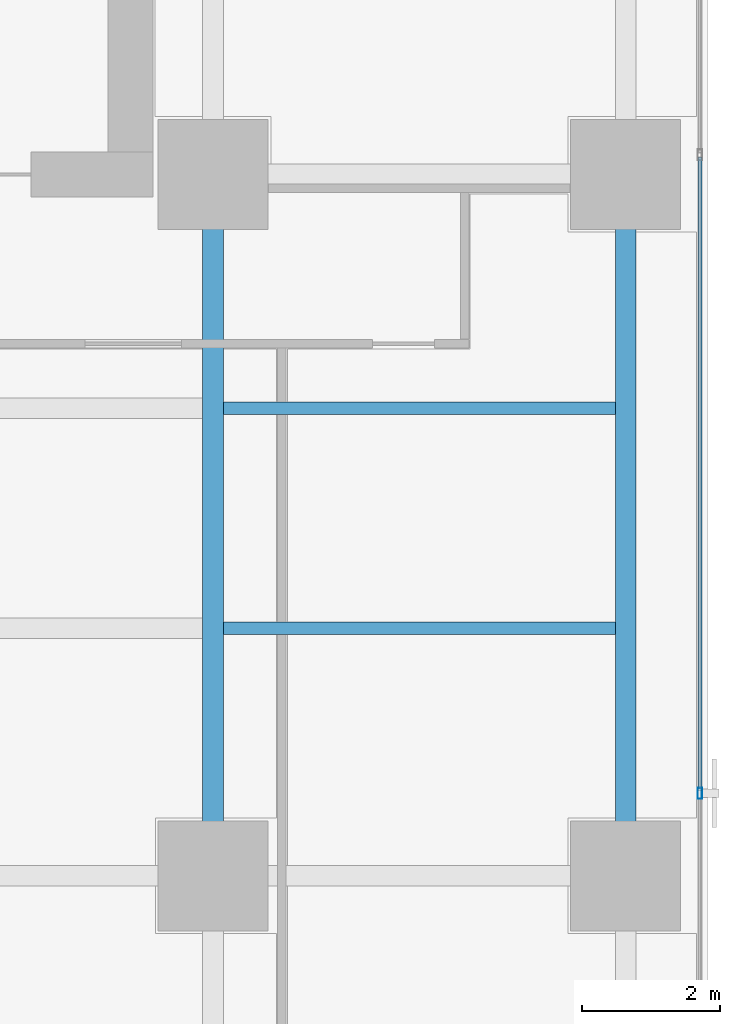
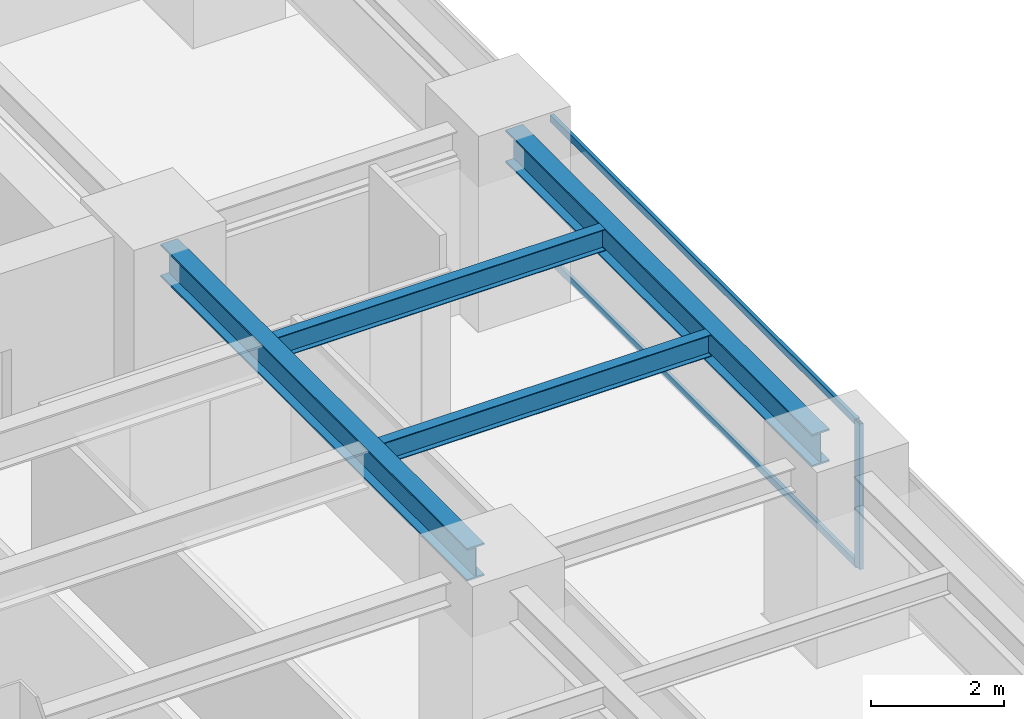
# One storey, part 13 of 28: 4 beams, 3 members, 1 element without a shape of its own.
"""IFC4 building model written with IfcOpenShell, lengths in metres."""

from ifc_helpers import new_model, si_unit, direction, frame, origin, origin_2d, place, context, subcontext, project, spatial, hollow_rectangle, i_section, extrude, source, transform, mapped, material, layer, layer_set, material_profile, profile_set, type_object, element, aggregate, save


model = new_model("IFC4")

# Units and contexts
model_context = context("Model", 3, precision=1e-05, world=origin(), true_north=direction((0.0, 1.0)))
body_context = subcontext(model_context, "Body", "Model", "MODEL_VIEW")
ifc_project = project(units=[si_unit("LENGTHUNIT", "METRE"), si_unit("AREAUNIT", "SQUARE_METRE"), si_unit("VOLUMEUNIT", "CUBIC_METRE"), si_unit("PLANEANGLEUNIT", "RADIAN"), si_unit("MASSUNIT", "GRAM", prefix="KILO")], contexts=[model_context])

# Site, building, storey
site_placement = place(None, origin())
site = spatial("IfcSite", under=ifc_project, at=site_placement, CompositionType="ELEMENT")
building_placement = place(site_placement, origin())
building = spatial("IfcBuilding", under=site, at=building_placement, Name="Sumidabori Civic Tower", CompositionType="ELEMENT")
storey_placement = place(building_placement, frame((0.0, 0.0, 185.60009765625)))
storey = spatial("IfcBuildingStorey", under=building, at=storey_placement, Name="L48", CompositionType="ELEMENT", Elevation=185.60009765625)

# Beams
ifc_material_1 = material(Name="Steel SN490", Category="steel")
ifc_material_profile_1 = material_profile(ifc_material_1, i_section(OverallWidth=0.300048828125, OverallDepth=0.60009765625, WebThickness=0.015380859375, FlangeThickness=0.030029296875, at=origin_2d()), Name="HE 600 B")
ifc_profile_set_1 = profile_set([ifc_material_profile_1], Name="Steel SN490")
beam_type_1 = type_object("IfcBeamType", Name="BM-GIRD-600", PredefinedType="BEAM", material=ifc_profile_set_1)
shared_shape_1 = source(origin(), body_context, "Body", "SweptSolid", [
    extrude(i_section(OverallWidth=0.300048828125, OverallDepth=0.60009765625, WebThickness=0.015380859375, FlangeThickness=0.030029296875, at=origin_2d()), origin(), (0.0, 0.0, 1.0), 9.239990234375),
])
for number, where, z_axis, x_axis, name in (
    (1, (16.800048828125, 0.47998046875, 3.0), (0.0, 1.0, 0.0), (-1.0, 0.0, 0.0), "Primary Girder L48 GY-34"),
    (2, (22.800048828125, 0.47998046875, 3.0), (0.0, 1.0, 0.0), (-1.0, 0.0, 0.0), "Primary Girder L48 GY-37"),
):
    element("IfcBeam", number, at=place(storey_placement, frame(where, z_axis=z_axis, x_axis=x_axis)), inside=storey, type_object=beam_type_1, Name=name, PredefinedType="BEAM", context=body_context, shape_type="MappedRepresentation", body=[
        mapped(shared_shape_1, transform((0.0, 0.0, 0.0), x_axis=(1.0, 0.0, 0.0), y_axis=(0.0, 1.0, 0.0), z_axis=(0.0, 0.0, 1.0), scale=1.0)),
    ])
ifc_material_profile_2 = material_profile(ifc_material_1, i_section(OverallWidth=0.179931640625, OverallDepth=0.39990234375, WebThickness=0.008544921875, FlangeThickness=0.013427734375, at=origin_2d()), Name="IPE 400")
ifc_profile_set_2 = profile_set([ifc_material_profile_2], Name="Steel SN490")
beam_type_2 = type_object("IfcBeamType", Name="BM-JST-400", PredefinedType="JOIST", material=ifc_profile_set_2)
shared_shape_2 = source(origin(), body_context, "Body", "SweptSolid", [
    extrude(i_section(OverallWidth=0.179931640625, OverallDepth=0.39990234375, WebThickness=0.008544921875, FlangeThickness=0.013427734375, at=origin_2d()), origin(), (0.0, 0.0, 1.0), 5.699951171875),
])
for number, where, z_axis, x_axis, name in (
    (3, (16.949951171875, 3.60009765625, 3.099853515625), (1.0, 0.0, 0.0), (0.0, 1.0, 0.0), "Outer Bay Floor Joist L48 JSTO-44"),
    (4, (16.949951171875, 6.800048828125, 3.099853515625), (1.0, 0.0, 0.0), (0.0, 1.0, 0.0), "Outer Bay Floor Joist L48 JSTO-46"),
):
    element("IfcBeam", number, at=place(storey_placement, frame(where, z_axis=z_axis, x_axis=x_axis)), inside=storey, type_object=beam_type_2, Name=name, PredefinedType="JOIST", context=body_context, shape_type="MappedRepresentation", body=[
        mapped(shared_shape_2, transform((0.0, 0.0, 0.0), x_axis=(1.0, 0.0, 0.0), y_axis=(0.0, 1.0, 0.0), z_axis=(0.0, 0.0, 1.0), scale=1.0)),
    ])

# Curtain wall, members
ifc_material_2 = material(Name="Anodised Bronze Aluminium AW-6063-T6", Category="aluminium")
ifc_layer = layer(ifc_material_2, 0.179931640625, Name="Anodised Bronze Aluminium AW-6063-T6")
ifc_layer_set = layer_set([ifc_layer], Name="Anodised Bronze Aluminium AW-6063-T6")
curtain_wall_type = type_object("IfcCurtainWallType", Name="CW-SYS-3", PredefinedType="NOTDEFINED", material=ifc_layer_set)
curtain_wall_placement = place(storey_placement, origin())
curtain_wall = element("IfcCurtainWall", 5, at=curtain_wall_placement, inside=storey, type_object=curtain_wall_type, Name="Curtain Wall CW:L48:R04", PredefinedType="NOTDEFINED")
ifc_material_profile_3 = material_profile(ifc_material_2, hollow_rectangle(XDim=0.06494140625, YDim=0.159912109375, WallThickness=0.0048828125, at=origin_2d()), Name="ALU MULLION 160x65")
ifc_profile_set_3 = profile_set([ifc_material_profile_3], Name="Anodised Bronze Aluminium AW-6063-T6")
member_type_1 = type_object("IfcMemberType", Name="CW-MUL-160", PredefinedType="MULLION", material=ifc_profile_set_3)
shared_shape_3 = source(origin(), body_context, "Body", "SweptSolid", [
    extrude(hollow_rectangle(XDim=0.06494140625, YDim=0.159912109375, WallThickness=0.0048828125, at=origin_2d()), origin(), (0.0, 0.0, 1.0), 2.679931640625),
])
member_1_placement = place(storey_placement, frame((23.8798828125, 1.199951171875, 0.0), z_axis=(0.0, 0.0, 1.0), x_axis=(-1.0, 0.0, 0.0)))
member_1 = element("IfcMember", 6, at=member_1_placement, type_object=member_type_1, Name="CW-3 mullion 3", PredefinedType="MULLION", context=body_context, shape_type="MappedRepresentation", body=[
    mapped(shared_shape_3, transform((0.0, 0.0, 0.0), x_axis=(1.0, 0.0, 0.0), y_axis=(0.0, 1.0, 0.0), z_axis=(0.0, 0.0, 1.0), scale=1.0)),
])
ifc_material_profile_4 = material_profile(ifc_material_2, hollow_rectangle(XDim=0.06005859375, YDim=0.1298828125, WallThickness=0.0048828125, at=origin_2d()), Name="ALU TRANSOM 130x60")
ifc_profile_set_4 = profile_set([ifc_material_profile_4], Name="Anodised Bronze Aluminium AW-6063-T6")
member_type_2 = type_object("IfcMemberType", Name="CW-TRN-130", PredefinedType="USERDEFINED", material=ifc_profile_set_4)
shared_shape_4 = source(origin(), body_context, "Body", "SweptSolid", [
    extrude(hollow_rectangle(XDim=0.06005859375, YDim=0.1298828125, WallThickness=0.0048828125, at=origin_2d()), origin(), (0.0, 0.0, 1.0), 9.219970703125),
])
member_2_placement = place(storey_placement, frame((23.8798828125, 1.232421875, 0.02978515625), z_axis=(0.0, 1.0, 0.0), x_axis=(-1.0, 0.0, 0.0)))
member_2 = element("IfcMember", 7, at=member_2_placement, type_object=member_type_2, Name="CW-3 transom 3.1", ObjectType="TRANSOM", PredefinedType="USERDEFINED", context=body_context, shape_type="MappedRepresentation", body=[
    mapped(shared_shape_4, transform((0.0, 0.0, 0.0), x_axis=(1.0, 0.0, 0.0), y_axis=(0.0, 1.0, 0.0), z_axis=(0.0, 0.0, 1.0), scale=1.0)),
])
member_3_placement = place(storey_placement, frame((23.8798828125, 1.232421875, 2.64990234375), z_axis=(0.0, 1.0, 0.0), x_axis=(-1.0, 0.0, 0.0)))
member_3 = element("IfcMember", 8, at=member_3_placement, type_object=member_type_2, Name="CW-3 transom 3.2", ObjectType="TRANSOM", PredefinedType="USERDEFINED", context=body_context, shape_type="MappedRepresentation", body=[
    mapped(shared_shape_4, transform((0.0, 0.0, 0.0), x_axis=(1.0, 0.0, 0.0), y_axis=(0.0, 1.0, 0.0), z_axis=(0.0, 0.0, 1.0), scale=1.0)),
])
aggregate(curtain_wall, [member_1, member_2, member_3])

save(model, "model.ifc")
